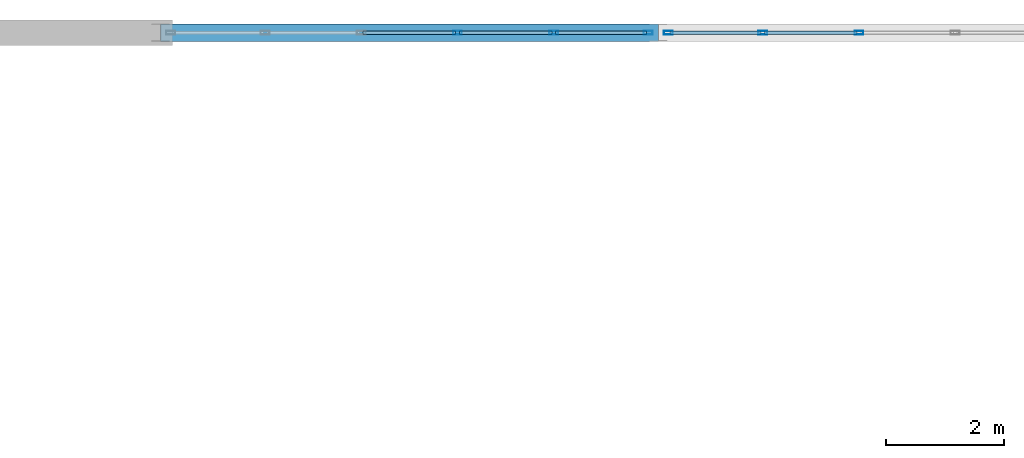
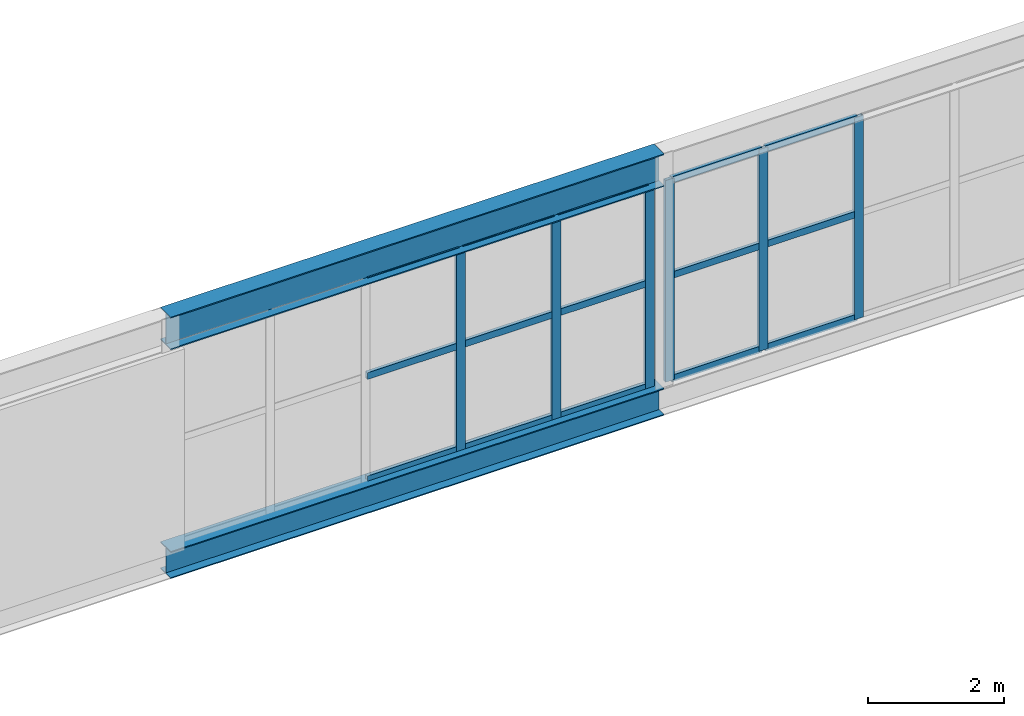
# One storey, part 169 of 218: 21 members, 2 beams, 2 elements without a shape of their own.
"""IFC4 building model written with IfcOpenShell, lengths in metres."""

from ifc_helpers import new_model, si_unit, direction, frame, origin, origin_2d, place, context, subcontext, project, spatial, hollow_rectangle, i_section, extrude, material, material_profile, profile_set, type_object, element, aggregate, save


model = new_model("IFC4")

# Units and contexts
model_context = context("Model", 3, precision=1e-05, world=origin(), true_north=direction((0.0, 1.0)))
body_context = subcontext(model_context, "Body", "Model", "MODEL_VIEW")
ifc_project = project(units=[si_unit("LENGTHUNIT", "METRE"), si_unit("AREAUNIT", "SQUARE_METRE"), si_unit("VOLUMEUNIT", "CUBIC_METRE"), si_unit("PLANEANGLEUNIT", "RADIAN"), si_unit("MASSUNIT", "GRAM", prefix="KILO")], contexts=[model_context])

# Site, building, storey
site_placement = place(None, origin())
site = spatial("IfcSite", under=ifc_project, at=site_placement, CompositionType="ELEMENT")
building_placement = place(site_placement, origin())
building = spatial("IfcBuilding", under=site, at=building_placement, Name="Kazenagashi Tramway Depot", CompositionType="ELEMENT")
storey_placement = place(building_placement, frame((0.0, 0.0, 6.0)))
storey = spatial("IfcBuildingStorey", under=building, at=storey_placement, Name="L02", CompositionType="ELEMENT", Elevation=6.0)

# Curtain wall, members
ifc_material_1 = material(Name="Anodised Aluminium and Low-E Glazing", Category="aluminium")
curtain_wall_type = type_object("IfcCurtainWallType", Name="CW-15", PredefinedType="USERDEFINED", material=ifc_material_1)
curtain_wall_1_placement = place(storey_placement, origin())
curtain_wall_1 = element("IfcCurtainWall", 1, at=curtain_wall_1_placement, inside=storey, type_object=curtain_wall_type, Name="Industrial Glazed Screen CW-15 CW-0075", ObjectType="GLAZED SCREEN", PredefinedType="USERDEFINED")
ifc_material_2 = material(Name="Anodised Aluminium", Category="aluminium")
ifc_material_profile_1 = material_profile(ifc_material_2, hollow_rectangle(XDim=0.06, YDim=0.15, WallThickness=0.004, at=origin_2d()), Name="RHS-150x60x4")
ifc_profile_set_1 = profile_set([ifc_material_profile_1], Name="Anodised Aluminium")
member_type_1 = type_object("IfcMemberType", Name="ML-01", PredefinedType="MULLION", material=ifc_profile_set_1)
member_1_placement = place(storey_placement, frame((125.412, 130.0, -0.02), z_axis=(0.0, 0.0, 1.0), x_axis=(0.0, 1.0, 0.0)))
member_1 = element("IfcMember", 2, at=member_1_placement, type_object=member_type_1, Name="CW-15 mullion 4", PredefinedType="MULLION", context=body_context, shape_type="SweptSolid", body=[
    extrude(hollow_rectangle(XDim=0.06, YDim=0.15, WallThickness=0.004, at=origin_2d()), origin(), (0.0, 0.0, 1.0), 3.632),
])
member_2_placement = place(storey_placement, frame((127.036, 130.0, -0.02), z_axis=(0.0, 0.0, 1.0), x_axis=(0.0, 1.0, 0.0)))
member_2 = element("IfcMember", 3, at=member_2_placement, type_object=member_type_1, Name="CW-15 mullion 5", PredefinedType="MULLION", context=body_context, shape_type="SweptSolid", body=[
    extrude(hollow_rectangle(XDim=0.06, YDim=0.15, WallThickness=0.004, at=origin_2d()), origin(), (0.0, 0.0, 1.0), 3.632),
])
member_3_placement = place(storey_placement, frame((128.63, 130.0, -0.02), z_axis=(0.0, 0.0, 1.0), x_axis=(0.0, 1.0, 0.0)))
member_3 = element("IfcMember", 4, at=member_3_placement, type_object=member_type_1, Name="CW-15 mullion 6", PredefinedType="MULLION", context=body_context, shape_type="SweptSolid", body=[
    extrude(hollow_rectangle(XDim=0.06, YDim=0.15, WallThickness=0.004, at=origin_2d()), origin(), (0.0, 0.0, 1.0), 3.632),
])

curtain_wall_2_placement = place(storey_placement, origin())
curtain_wall_2 = element("IfcCurtainWall", 5, at=curtain_wall_2_placement, inside=storey, type_object=curtain_wall_type, Name="Industrial Glazed Screen CW-15 CW-0078", ObjectType="GLAZED SCREEN", PredefinedType="USERDEFINED")
member_4_placement = place(storey_placement, frame((128.97, 130.0, -0.02), z_axis=(0.0, 0.0, 1.0), x_axis=(0.0, 1.0, 0.0)))
member_4 = element("IfcMember", 6, at=member_4_placement, type_object=member_type_1, Name="CW-15 mullion 1", PredefinedType="MULLION", context=body_context, shape_type="SweptSolid", body=[
    extrude(hollow_rectangle(XDim=0.06, YDim=0.15, WallThickness=0.004, at=origin_2d()), origin(), (0.0, 0.0, 1.0), 3.632),
])
member_5_placement = place(storey_placement, frame((130.564, 130.0, -0.02), z_axis=(0.0, 0.0, 1.0), x_axis=(0.0, 1.0, 0.0)))
member_5 = element("IfcMember", 7, at=member_5_placement, type_object=member_type_1, Name="CW-15 mullion 2", PredefinedType="MULLION", context=body_context, shape_type="SweptSolid", body=[
    extrude(hollow_rectangle(XDim=0.06, YDim=0.15, WallThickness=0.004, at=origin_2d()), origin(), (0.0, 0.0, 1.0), 3.632),
])
member_6_placement = place(storey_placement, frame((132.188, 130.0, -0.02), z_axis=(0.0, 0.0, 1.0), x_axis=(0.0, 1.0, 0.0)))
member_6 = element("IfcMember", 8, at=member_6_placement, type_object=member_type_1, Name="CW-15 mullion 3", PredefinedType="MULLION", context=body_context, shape_type="SweptSolid", body=[
    extrude(hollow_rectangle(XDim=0.06, YDim=0.15, WallThickness=0.004, at=origin_2d()), origin(), (0.0, 0.0, 1.0), 3.632),
])

# Beams
ifc_material_3 = material(Name="Steel SN490B", Category="steel")
ifc_material_profile_2 = material_profile(ifc_material_3, i_section(OverallWidth=0.3, OverallDepth=0.588, WebThickness=0.012, FlangeThickness=0.02, at=origin_2d()), Name="H-588x300x12x20")
ifc_profile_set_2 = profile_set([ifc_material_profile_2], Name="Steel SN490B")
beam_type_1 = type_object("IfcBeamType", Name="SP-01", PredefinedType="SPANDREL", material=ifc_profile_set_2)
beam_1_placement = place(storey_placement, frame((120.4, 130.0, 3.906), z_axis=(1.0, 0.0, 0.0), x_axis=(0.0, 1.0, 0.0)))
element("IfcBeam", 9, at=beam_1_placement, inside=storey, type_object=beam_type_1, Name="Beam SP-01 BM-1889", PredefinedType="SPANDREL", context=body_context, shape_type="SweptSolid", body=[
    extrude(i_section(OverallWidth=0.3, OverallDepth=0.588, WebThickness=0.012, FlangeThickness=0.02, at=origin_2d()), origin(), (0.0, 0.0, 1.0), 8.4),
])
ifc_material_profile_3 = material_profile(ifc_material_3, i_section(OverallWidth=0.3, OverallDepth=0.488, WebThickness=0.011, FlangeThickness=0.018, at=origin_2d()), Name="H-488x300x11x18")
ifc_profile_set_3 = profile_set([ifc_material_profile_3], Name="Steel SN490B")
beam_type_2 = type_object("IfcBeamType", Name="SP-02", PredefinedType="SPANDREL", material=ifc_profile_set_3)
beam_2_placement = place(storey_placement, frame((120.4, 130.0, -0.264), z_axis=(1.0, 0.0, 0.0), x_axis=(0.0, 1.0, 0.0)))
element("IfcBeam", 10, at=beam_2_placement, inside=storey, type_object=beam_type_2, Name="Beam SP-02 BM-1833", PredefinedType="SPANDREL", context=body_context, shape_type="SweptSolid", body=[
    extrude(i_section(OverallWidth=0.3, OverallDepth=0.488, WebThickness=0.011, FlangeThickness=0.018, at=origin_2d()), origin(), (0.0, 0.0, 1.0), 8.4),
])

# Member
ifc_material_profile_4 = material_profile(ifc_material_2, hollow_rectangle(XDim=0.06, YDim=0.12, WallThickness=0.004, at=origin_2d()), Name="RHS-120x60x4")
ifc_profile_set_4 = profile_set([ifc_material_profile_4], Name="Anodised Aluminium")
member_type_2 = type_object("IfcMemberType", Name="TR-01", PredefinedType="USERDEFINED", material=ifc_profile_set_4)
member_7_placement = place(storey_placement, frame((123.818, 130.0, 0.01), z_axis=(1.0, 0.0, 0.0), x_axis=(0.0, 1.0, 0.0)))
member_7 = element("IfcMember", 11, at=member_7_placement, type_object=member_type_2, Name="CW-15 transom 3.1", ObjectType="TRANSOM", PredefinedType="USERDEFINED", context=body_context, shape_type="SweptSolid", body=[
    extrude(hollow_rectangle(XDim=0.06, YDim=0.12, WallThickness=0.004, at=origin_2d()), origin(), (0.0, 0.0, 1.0), 1.564),
])

member_8_placement = place(storey_placement, frame((123.818, 130.0, 1.869), z_axis=(1.0, 0.0, 0.0), x_axis=(0.0, 1.0, 0.0)))
member_8 = element("IfcMember", 12, at=member_8_placement, type_object=member_type_2, Name="CW-15 transom 3.2", ObjectType="TRANSOM", PredefinedType="USERDEFINED", context=body_context, shape_type="SweptSolid", body=[
    extrude(hollow_rectangle(XDim=0.06, YDim=0.12, WallThickness=0.004, at=origin_2d()), origin(), (0.0, 0.0, 1.0), 1.564),
])

member_9_placement = place(storey_placement, frame((123.818, 130.0, 3.582), z_axis=(1.0, 0.0, 0.0), x_axis=(0.0, 1.0, 0.0)))
member_9 = element("IfcMember", 13, at=member_9_placement, type_object=member_type_2, Name="CW-15 transom 3.3", ObjectType="TRANSOM", PredefinedType="USERDEFINED", context=body_context, shape_type="SweptSolid", body=[
    extrude(hollow_rectangle(XDim=0.06, YDim=0.12, WallThickness=0.004, at=origin_2d()), origin(), (0.0, 0.0, 1.0), 1.564),
])

member_10_placement = place(storey_placement, frame((125.442, 130.0, 0.01), z_axis=(1.0, 0.0, 0.0), x_axis=(0.0, 1.0, 0.0)))
member_10 = element("IfcMember", 14, at=member_10_placement, type_object=member_type_2, Name="CW-15 transom 4.1", ObjectType="TRANSOM", PredefinedType="USERDEFINED", context=body_context, shape_type="SweptSolid", body=[
    extrude(hollow_rectangle(XDim=0.06, YDim=0.12, WallThickness=0.004, at=origin_2d()), origin(), (0.0, 0.0, 1.0), 1.564),
])

member_11_placement = place(storey_placement, frame((125.442, 130.0, 1.869), z_axis=(1.0, 0.0, 0.0), x_axis=(0.0, 1.0, 0.0)))
member_11 = element("IfcMember", 15, at=member_11_placement, type_object=member_type_2, Name="CW-15 transom 4.2", ObjectType="TRANSOM", PredefinedType="USERDEFINED", context=body_context, shape_type="SweptSolid", body=[
    extrude(hollow_rectangle(XDim=0.06, YDim=0.12, WallThickness=0.004, at=origin_2d()), origin(), (0.0, 0.0, 1.0), 1.564),
])

member_12_placement = place(storey_placement, frame((125.442, 130.0, 3.582), z_axis=(1.0, 0.0, 0.0), x_axis=(0.0, 1.0, 0.0)))
member_12 = element("IfcMember", 16, at=member_12_placement, type_object=member_type_2, Name="CW-15 transom 4.3", ObjectType="TRANSOM", PredefinedType="USERDEFINED", context=body_context, shape_type="SweptSolid", body=[
    extrude(hollow_rectangle(XDim=0.06, YDim=0.12, WallThickness=0.004, at=origin_2d()), origin(), (0.0, 0.0, 1.0), 1.564),
])

member_13_placement = place(storey_placement, frame((127.066, 130.0, 0.01), z_axis=(1.0, 0.0, 0.0), x_axis=(0.0, 1.0, 0.0)))
member_13 = element("IfcMember", 17, at=member_13_placement, type_object=member_type_2, Name="CW-15 transom 5.1", ObjectType="TRANSOM", PredefinedType="USERDEFINED", context=body_context, shape_type="SweptSolid", body=[
    extrude(hollow_rectangle(XDim=0.06, YDim=0.12, WallThickness=0.004, at=origin_2d()), origin(), (0.0, 0.0, 1.0), 1.534),
])

member_14_placement = place(storey_placement, frame((127.066, 130.0, 1.869), z_axis=(1.0, 0.0, 0.0), x_axis=(0.0, 1.0, 0.0)))
member_14 = element("IfcMember", 18, at=member_14_placement, type_object=member_type_2, Name="CW-15 transom 5.2", ObjectType="TRANSOM", PredefinedType="USERDEFINED", context=body_context, shape_type="SweptSolid", body=[
    extrude(hollow_rectangle(XDim=0.06, YDim=0.12, WallThickness=0.004, at=origin_2d()), origin(), (0.0, 0.0, 1.0), 1.534),
])

member_15_placement = place(storey_placement, frame((127.066, 130.0, 3.582), z_axis=(1.0, 0.0, 0.0), x_axis=(0.0, 1.0, 0.0)))
member_15 = element("IfcMember", 19, at=member_15_placement, type_object=member_type_2, Name="CW-15 transom 5.3", ObjectType="TRANSOM", PredefinedType="USERDEFINED", context=body_context, shape_type="SweptSolid", body=[
    extrude(hollow_rectangle(XDim=0.06, YDim=0.12, WallThickness=0.004, at=origin_2d()), origin(), (0.0, 0.0, 1.0), 1.534),
])

aggregate(curtain_wall_1, [member_1, member_2, member_3, member_7, member_8, member_9, member_10, member_11, member_12, member_13, member_14, member_15])

member_16_placement = place(storey_placement, frame((129.0, 130.0, 0.01), z_axis=(1.0, 0.0, 0.0), x_axis=(0.0, 1.0, 0.0)))
member_16 = element("IfcMember", 20, at=member_16_placement, type_object=member_type_2, Name="CW-15 transom 1.1", ObjectType="TRANSOM", PredefinedType="USERDEFINED", context=body_context, shape_type="SweptSolid", body=[
    extrude(hollow_rectangle(XDim=0.06, YDim=0.12, WallThickness=0.004, at=origin_2d()), origin(), (0.0, 0.0, 1.0), 1.534),
])

member_17_placement = place(storey_placement, frame((129.0, 130.0, 1.869), z_axis=(1.0, 0.0, 0.0), x_axis=(0.0, 1.0, 0.0)))
member_17 = element("IfcMember", 21, at=member_17_placement, type_object=member_type_2, Name="CW-15 transom 1.2", ObjectType="TRANSOM", PredefinedType="USERDEFINED", context=body_context, shape_type="SweptSolid", body=[
    extrude(hollow_rectangle(XDim=0.06, YDim=0.12, WallThickness=0.004, at=origin_2d()), origin(), (0.0, 0.0, 1.0), 1.534),
])

member_18_placement = place(storey_placement, frame((129.0, 130.0, 3.582), z_axis=(1.0, 0.0, 0.0), x_axis=(0.0, 1.0, 0.0)))
member_18 = element("IfcMember", 22, at=member_18_placement, type_object=member_type_2, Name="CW-15 transom 1.3", ObjectType="TRANSOM", PredefinedType="USERDEFINED", context=body_context, shape_type="SweptSolid", body=[
    extrude(hollow_rectangle(XDim=0.06, YDim=0.12, WallThickness=0.004, at=origin_2d()), origin(), (0.0, 0.0, 1.0), 1.534),
])

member_19_placement = place(storey_placement, frame((130.594, 130.0, 0.01), z_axis=(1.0, 0.0, 0.0), x_axis=(0.0, 1.0, 0.0)))
member_19 = element("IfcMember", 23, at=member_19_placement, type_object=member_type_2, Name="CW-15 transom 2.1", ObjectType="TRANSOM", PredefinedType="USERDEFINED", context=body_context, shape_type="SweptSolid", body=[
    extrude(hollow_rectangle(XDim=0.06, YDim=0.12, WallThickness=0.004, at=origin_2d()), origin(), (0.0, 0.0, 1.0), 1.564),
])

member_20_placement = place(storey_placement, frame((130.594, 130.0, 1.869), z_axis=(1.0, 0.0, 0.0), x_axis=(0.0, 1.0, 0.0)))
member_20 = element("IfcMember", 24, at=member_20_placement, type_object=member_type_2, Name="CW-15 transom 2.2", ObjectType="TRANSOM", PredefinedType="USERDEFINED", context=body_context, shape_type="SweptSolid", body=[
    extrude(hollow_rectangle(XDim=0.06, YDim=0.12, WallThickness=0.004, at=origin_2d()), origin(), (0.0, 0.0, 1.0), 1.564),
])

member_21_placement = place(storey_placement, frame((130.594, 130.0, 3.582), z_axis=(1.0, 0.0, 0.0), x_axis=(0.0, 1.0, 0.0)))
member_21 = element("IfcMember", 25, at=member_21_placement, type_object=member_type_2, Name="CW-15 transom 2.3", ObjectType="TRANSOM", PredefinedType="USERDEFINED", context=body_context, shape_type="SweptSolid", body=[
    extrude(hollow_rectangle(XDim=0.06, YDim=0.12, WallThickness=0.004, at=origin_2d()), origin(), (0.0, 0.0, 1.0), 1.564),
])

aggregate(curtain_wall_2, [member_4, member_5, member_6, member_16, member_17, member_18, member_19, member_20, member_21])

save(model, "model.ifc")
